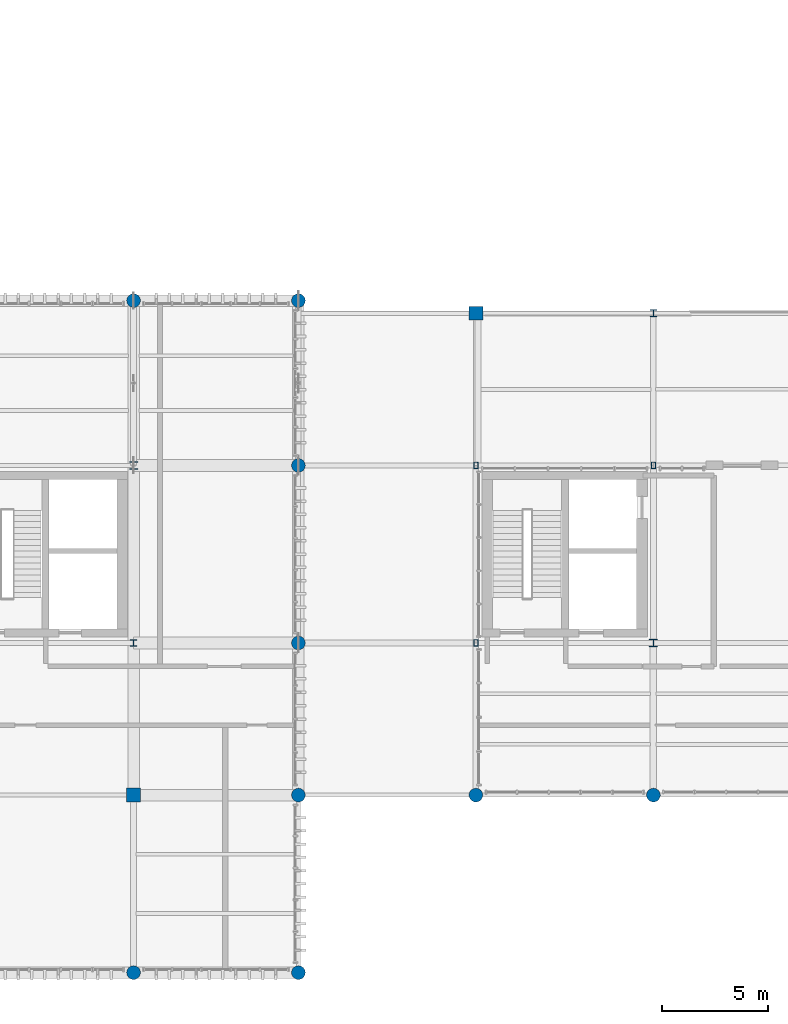
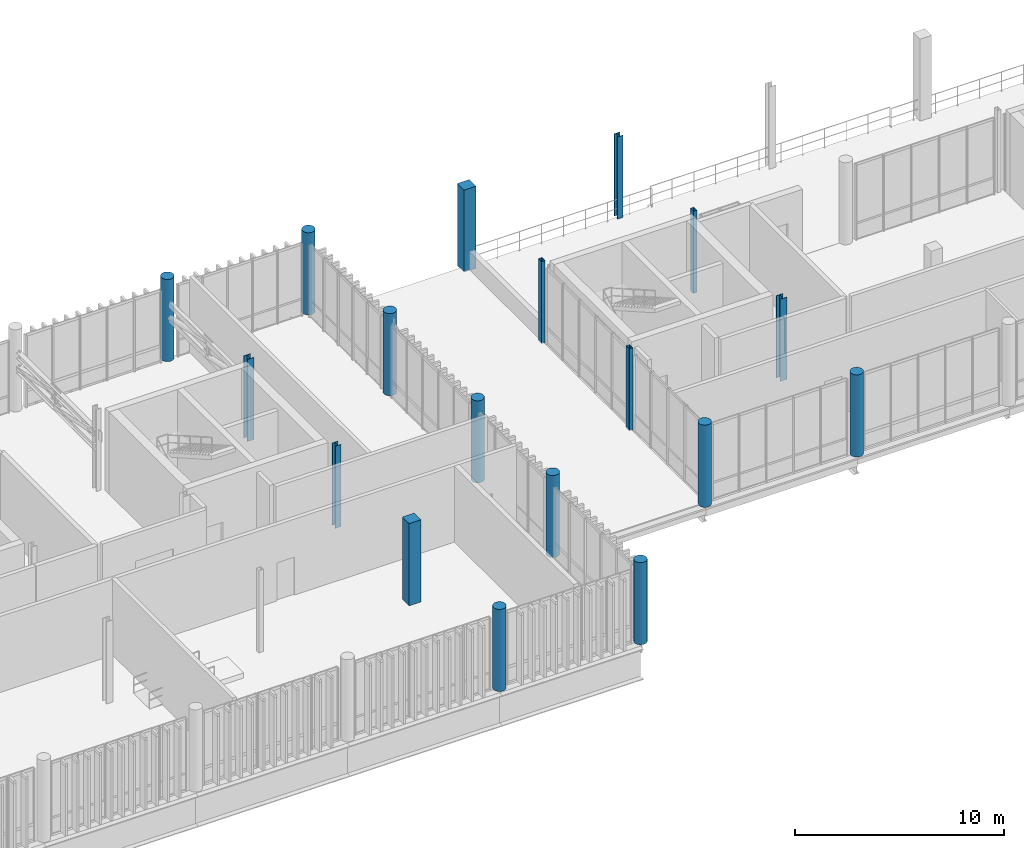
# One storey, part 2 of 81: 18 columns.
"""IFC4 building model written with IfcOpenShell, lengths in metres."""

from ifc_helpers import new_model, si_unit, direction, frame, origin_with_axes, origin_2d_with_axis, place, context, subcontext, project, spatial, rectangle, hollow_rectangle, circle, i_section, extrude, material, material_profile, profile_set, type_object, element, save


model = new_model("IFC4")

# Units and contexts
model_context = context("Model", 3, precision=1e-05, world=origin_with_axes(), true_north=direction((0.0, 1.0)))
body_context = subcontext(model_context, "Body", "Model", "MODEL_VIEW")
ifc_project = project(units=[si_unit("LENGTHUNIT", "METRE"), si_unit("AREAUNIT", "SQUARE_METRE"), si_unit("VOLUMEUNIT", "CUBIC_METRE"), si_unit("PLANEANGLEUNIT", "RADIAN"), si_unit("MASSUNIT", "GRAM", prefix="KILO"), si_unit("THERMODYNAMICTEMPERATUREUNIT", "KELVIN")], contexts=[model_context])

# Site, building, storey
site_placement = place(None, origin_with_axes())
site = spatial("IfcSite", under=ifc_project, at=site_placement, CompositionType="ELEMENT")
building_placement = place(site_placement, origin_with_axes())
building = spatial("IfcBuilding", under=site, at=building_placement, Name="Montbau Bow Law Courts", CompositionType="ELEMENT")
storey_placement = place(building_placement, frame((0.0, 0.0, 24.9), z_axis=(0.0, 0.0, 1.0), x_axis=(1.0, 0.0, 0.0)))
storey = spatial("IfcBuildingStorey", under=building, at=storey_placement, Name="L05", CompositionType="ELEMENT", Elevation=24.9)

# Columns
ifc_material_1 = material(Name="Steel CSA G40.21 Grade 350WT (350 MPa)", Category="steel")
ifc_material_profile_1 = material_profile(ifc_material_1, hollow_rectangle(XDim=0.203, YDim=0.305, WallThickness=0.0127, InnerFilletRadius=0.0254, OuterFilletRadius=0.0127, at=origin_2d_with_axis()), Name="HSS305X203X13", Category="Main", Priority=0)
ifc_profile_set_1 = profile_set([ifc_material_profile_1], Name="Steel CSA G40.21 Grade 350WT (350 MPa)")
column_type_1 = type_object("IfcColumnType", Name="C-HSS-03", PredefinedType="COLUMN", material=ifc_profile_set_1)
for number, where, z_axis, x_axis, name in (
    (1, (55.2, 46.2, 24.9), (0.0, 0.0, 1.0), (1.0, 0.0, 0.0), "C-L05-S0866:col2_0866"),
    (2, (55.2, 54.6, 24.9), (0.0, 0.0, 1.0), (1.0, 0.0, 0.0), "C-L05-S0867:col2_0867"),
    (3, (63.6, 54.6, 24.9), (0.0, 0.0, 1.0), (1.0, 0.0, 0.0), "C-L05-S0871:col2_0871"),
):
    element("IfcColumn", number, at=place(None, frame(where, z_axis=z_axis, x_axis=x_axis)), inside=storey, type_object=column_type_1, Name=name, PredefinedType="COLUMN", context=body_context, shape_type="SweptSolid", body=[
        extrude(hollow_rectangle(XDim=0.203, YDim=0.305, WallThickness=0.0127, InnerFilletRadius=0.0254, OuterFilletRadius=0.0127, at=origin_2d_with_axis()), origin_with_axes(), (0.0, 0.0, 1.0), 4.8),
    ])
ifc_material_2 = material(Name="Concrete CSA A23.1 f'c 40 MPa", Category="concrete")
ifc_material_profile_2 = material_profile(ifc_material_2, rectangle(XDim=0.65, YDim=0.65, at=origin_2d_with_axis()), Name="RC650X650", Category="Main", Priority=0)
ifc_profile_set_2 = profile_set([ifc_material_profile_2], Name="Concrete CSA A23.1 f'c 40 MPa")
column_type_2 = type_object("IfcColumnType", Name="C-RC-05", PredefinedType="COLUMN", material=ifc_profile_set_2)
for number, where, z_axis, x_axis, name in (
    (4, (39.0, 39.0, 24.9), (0.0, 0.0, 1.0), (1.0, 0.0, 0.0), "C-L05-S0856:col2_0856"),
    (5, (55.2, 61.8, 24.9), (0.0, 0.0, 1.0), (1.0, 0.0, 0.0), "C-L05-S0868:col2_0868"),
):
    element("IfcColumn", number, at=place(None, frame(where, z_axis=z_axis, x_axis=x_axis)), inside=storey, type_object=column_type_2, Name=name, PredefinedType="COLUMN", context=body_context, shape_type="SweptSolid", body=[
        extrude(rectangle(XDim=0.65, YDim=0.65, at=origin_2d_with_axis()), origin_with_axes(), (0.0, 0.0, 1.0), 4.8),
    ])
ifc_material_profile_3 = material_profile(ifc_material_2, circle(Radius=0.325, at=origin_2d_with_axis()), Name="RC650D", Category="Main", Priority=0)
ifc_profile_set_3 = profile_set([ifc_material_profile_3], Name="Concrete CSA A23.1 f'c 40 MPa")
column_type_3 = type_object("IfcColumnType", Name="C-RC-08", PredefinedType="COLUMN", material=ifc_profile_set_3)
for number, where, z_axis, x_axis, name in (
    (6, (39.0, 30.6, 24.9), (0.0, 0.0, 1.0), (1.0, 0.0, 0.0), "C-L05-S0855:col2_0855"),
    (7, (39.0, 62.4, 24.9), (0.0, 0.0, 1.0), (1.0, 0.0, 0.0), "C-L05-S0859:col2_0859"),
    (8, (46.8, 30.6, 24.9), (0.0, 0.0, 1.0), (1.0, 0.0, 0.0), "C-L05-S0860:col2_0860"),
    (9, (46.8, 39.0, 24.9), (0.0, 0.0, 1.0), (1.0, 0.0, 0.0), "C-L05-S0861:col2_0861"),
    (10, (46.8, 46.2, 24.9), (0.0, 0.0, 1.0), (1.0, 0.0, 0.0), "C-L05-S0862:col2_0862"),
    (11, (46.8, 54.6, 24.9), (0.0, 0.0, 1.0), (1.0, 0.0, 0.0), "C-L05-S0863:col2_0863"),
    (12, (46.8, 62.4, 24.9), (0.0, 0.0, 1.0), (1.0, 0.0, 0.0), "C-L05-S0864:col2_0864"),
    (13, (55.2, 39.0, 24.9), (0.0, 0.0, 1.0), (1.0, 0.0, 0.0), "C-L05-S0865:col2_0865"),
    (14, (63.6, 39.0, 24.9), (0.0, 0.0, 1.0), (1.0, 0.0, 0.0), "C-L05-S0869:col2_0869"),
):
    element("IfcColumn", number, at=place(None, frame(where, z_axis=z_axis, x_axis=x_axis)), inside=storey, type_object=column_type_3, Name=name, PredefinedType="COLUMN", context=body_context, shape_type="SweptSolid", body=[
        extrude(circle(Radius=0.325, at=origin_2d_with_axis()), origin_with_axes(), (0.0, 0.0, 1.0), 4.8),
    ])
ifc_material_3 = material(Name="Steel CSA G40.21 Grade 350W (350 MPa)", Category="steel")
ifc_material_profile_4 = material_profile(ifc_material_3, i_section(OverallWidth=0.373, OverallDepth=0.368, WebThickness=0.015, FlangeThickness=0.0239, at=origin_2d_with_axis()), Name="W360X179", Category="Main", Priority=0)
ifc_profile_set_4 = profile_set([ifc_material_profile_4], Name="Steel CSA G40.21 Grade 350W (350 MPa)")
column_type_4 = type_object("IfcColumnType", Name="C-STL-04", PredefinedType="COLUMN", material=ifc_profile_set_4)
for number, where, z_axis, x_axis, name in (
    (15, (39.0, 54.6, 24.9), (0.0, 0.0, 1.0), (1.0, 0.0, 0.0), "C-L05-S0858:col2_0858"),
    (16, (63.6, 46.2, 24.9), (0.0, 0.0, 1.0), (1.0, 0.0, 0.0), "C-L05-S0870:col2_0870"),
):
    element("IfcColumn", number, at=place(None, frame(where, z_axis=z_axis, x_axis=x_axis)), inside=storey, type_object=column_type_4, Name=name, PredefinedType="COLUMN", context=body_context, shape_type="SweptSolid", body=[
        extrude(i_section(OverallWidth=0.373, OverallDepth=0.368, WebThickness=0.015, FlangeThickness=0.0239, at=origin_2d_with_axis()), origin_with_axes(), (0.0, 0.0, 1.0), 4.8),
    ])
ifc_material_profile_5 = material_profile(ifc_material_3, i_section(OverallWidth=0.309, OverallDepth=0.323, WebThickness=0.014, FlangeThickness=0.0229, at=origin_2d_with_axis()), Name="W310X143", Category="Main", Priority=0)
ifc_profile_set_5 = profile_set([ifc_material_profile_5], Name="Steel CSA G40.21 Grade 350W (350 MPa)")
column_type_5 = type_object("IfcColumnType", Name="C-STL-06", PredefinedType="COLUMN", material=ifc_profile_set_5)
for number, where, z_axis, x_axis, name in (
    (17, (39.0, 46.2, 24.9), (0.0, 0.0, 1.0), (1.0, 0.0, 0.0), "C-L05-S0857:col2_0857"),
    (18, (63.6, 61.8, 24.9), (0.0, 0.0, 1.0), (1.0, 0.0, 0.0), "C-L05-S0872:col2_0872"),
):
    element("IfcColumn", number, at=place(None, frame(where, z_axis=z_axis, x_axis=x_axis)), inside=storey, type_object=column_type_5, Name=name, PredefinedType="COLUMN", context=body_context, shape_type="SweptSolid", body=[
        extrude(i_section(OverallWidth=0.309, OverallDepth=0.323, WebThickness=0.014, FlangeThickness=0.0229, at=origin_2d_with_axis()), origin_with_axes(), (0.0, 0.0, 1.0), 4.8),
    ])

save(model, "model.ifc")
